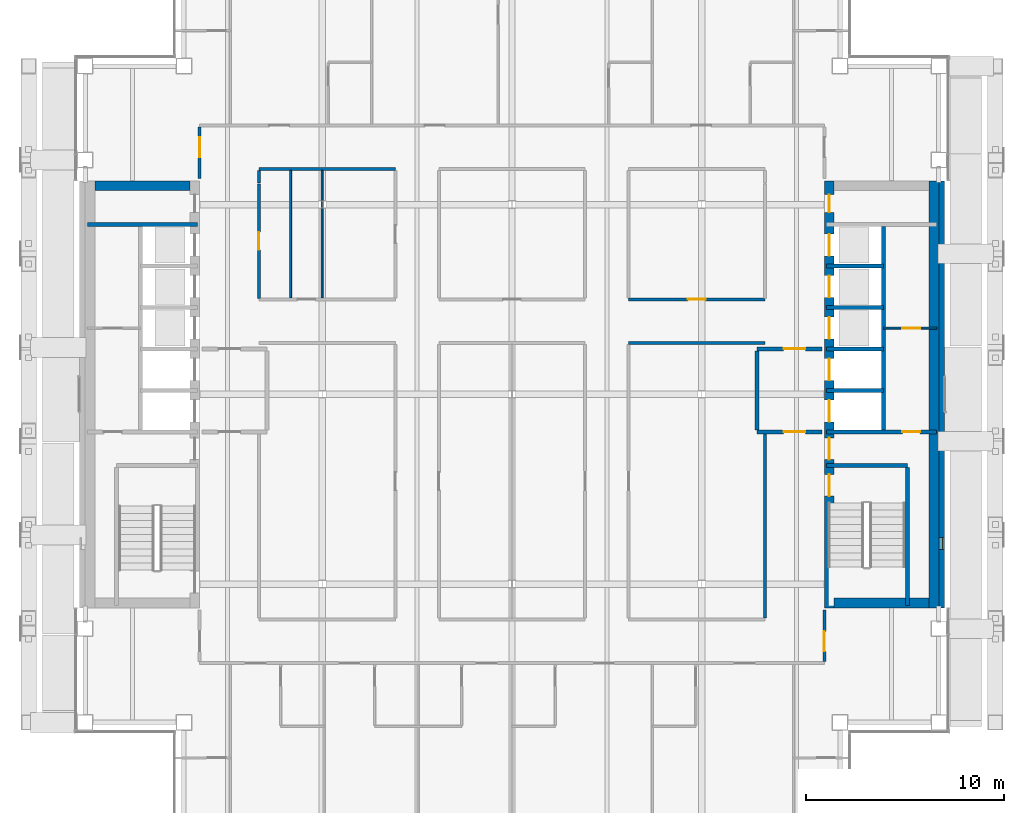
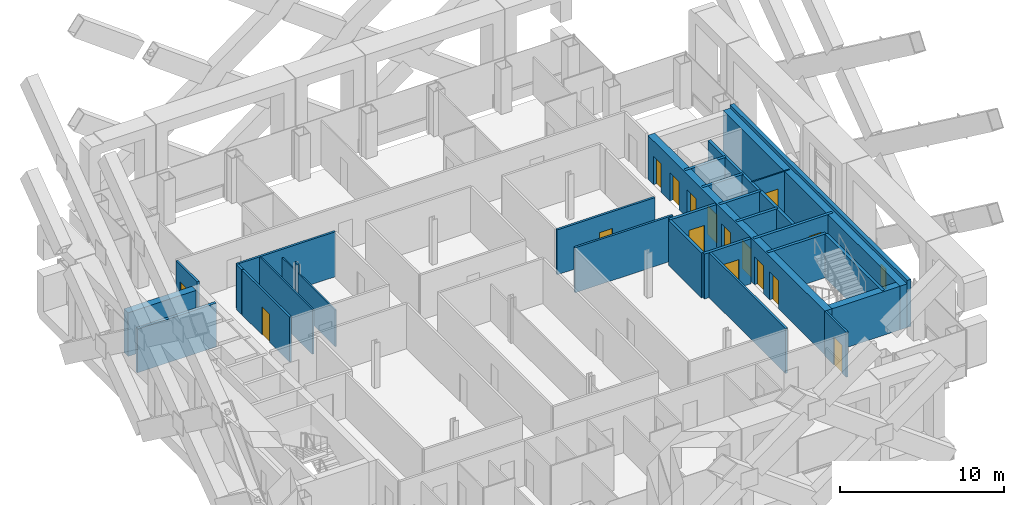
# One storey, part 15 of 25: 30 walls, 16 doors, 1 window, 17 openings.
"""IFC4 building model written with IfcOpenShell, lengths in metres."""

from ifc_helpers import new_model, si_unit, direction, frame, frame_2d, origin, place, context, subcontext, project, spatial, rectangle, extrude, material, layer, layer_set, type_object, element, fill, save


model = new_model("IFC4")

# Units and contexts
model_context = context("Model", 3, precision=1e-05, world=origin(), true_north=direction((0.0, 1.0)))
body_context = subcontext(model_context, "Body", "Model", "MODEL_VIEW")
ifc_project = project(units=[si_unit("LENGTHUNIT", "METRE"), si_unit("AREAUNIT", "SQUARE_METRE"), si_unit("VOLUMEUNIT", "CUBIC_METRE"), si_unit("PLANEANGLEUNIT", "RADIAN"), si_unit("MASSUNIT", "GRAM", prefix="KILO")], contexts=[model_context])

# Site, building, storey
site_placement = place(None, origin())
site = spatial("IfcSite", under=ifc_project, at=site_placement, CompositionType="ELEMENT")
building_placement = place(site_placement, origin())
building = spatial("IfcBuilding", under=site, at=building_placement, Name="Cobrizo Arcos Hotel Tower", CompositionType="ELEMENT")
storey_placement = place(building_placement, frame((0.0, 0.0, 148.0)))
storey = spatial("IfcBuildingStorey", under=building, at=storey_placement, Name="L37", CompositionType="ELEMENT", Elevation=148.0)

# Wall
ifc_material_1 = material(Name="Gypsum board partition")
ifc_layer_1 = layer(ifc_material_1, 0.14990234375)
ifc_layer_set_1 = layer_set([ifc_layer_1], Name="Corridor wall EI 60 150")
wall_type_1 = type_object("IfcWallType", Name="Corridor wall EI 60 150", PredefinedType="PARTITIONING", material=ifc_layer_set_1)
wall_1_placement = place(storey_placement, frame((5.89990234375, 2.60009765625, 0.0), z_axis=(0.0, 0.0, 1.0), x_axis=(1.0, 0.0, 0.0)))
element("IfcWall", 1, at=wall_1_placement, inside=storey, type_object=wall_type_1, Name="Partition 025", PredefinedType="PARTITIONING", context=body_context, shape_type="SweptSolid", body=[
    extrude(rectangle(XDim=6.900146484375, YDim=0.14990234375, at=frame_2d((3.4501953125, 0.0))), origin(), (0.0, 0.0, 1.0), 3.35009765625),
])

# Wall, opening, door
wall_2_placement = place(storey_placement, frame((5.89990234375, 4.800048828125, 0.0), z_axis=(0.0, 0.0, 1.0), x_axis=(1.0, 0.0, 0.0)))
wall_2 = element("IfcWall", 2, at=wall_2_placement, inside=storey, type_object=wall_type_1, Name="Partition 032", PredefinedType="PARTITIONING", context=body_context, shape_type="SweptSolid", body=[
    extrude(rectangle(XDim=6.900146484375, YDim=0.14990234375, at=frame_2d((3.4501953125, 0.0))), origin(), (0.0, 0.0, 1.0), 3.35009765625),
])
opening_1_placement = place(wall_2_placement, frame((3.0, 0.0, 0.0)))
opening_1 = element("IfcOpeningElement", 3, at=opening_1_placement, cuts=wall_2, Name="Opening RD-09", PredefinedType="OPENING", context=body_context, shape_type="SweptSolid", body=[
    extrude(rectangle(XDim=0.89990234375, YDim=2.10009765625, at=frame_2d((0.449951171875, 1.050048828125))), frame((0.0, 0.0869140625, 0.0), z_axis=(0.0, -1.0, 0.0), x_axis=(1.0, 0.0, 0.0)), (0.0, 0.0, 1.0), 0.173828125),
])
ifc_material_2 = material(Name="Timber door leaf", Category="wood")
door_type_1 = type_object("IfcDoorType", Name="Room door FD30 900x2100", OperationType="SINGLE_SWING_LEFT", PredefinedType="DOOR", material=ifc_material_2)
door_1_placement = place(opening_1_placement, origin())
door_1 = element("IfcDoor", 4, at=door_1_placement, inside=storey, type_object=door_type_1, Name="Door RD-09", OperationType="SINGLE_SWING_LEFT", OverallHeight=2.10009765625, OverallWidth=0.89990234375, PredefinedType="DOOR", context=body_context, shape_type="SweptSolid", body=[
    extrude(rectangle(XDim=0.89990234375, YDim=2.10009765625, at=frame_2d((0.449951171875, 1.050048828125))), frame((0.0, 0.02490234375, 0.0), z_axis=(0.0, -1.0, 0.0), x_axis=(1.0, 0.0, 0.0)), (0.0, 0.0, 1.0), 0.050048828125),
])
fill(opening_1, door_1)

# Wall
wall_3_placement = place(storey_placement, frame((-12.800048828125, 11.39990234375, 0.0), z_axis=(0.0, 0.0, 1.0), x_axis=(1.0, 0.0, 0.0)))
element("IfcWall", 5, at=wall_3_placement, inside=storey, type_object=wall_type_1, Name="Partition 037", PredefinedType="PARTITIONING", context=body_context, shape_type="SweptSolid", body=[
    extrude(rectangle(XDim=6.900146484375, YDim=0.14990234375, at=frame_2d((3.4501953125, 0.0))), origin(), (0.0, 0.0, 1.0), 3.35009765625),
])

# Wall, opening, door
wall_4_placement = place(storey_placement, frame((-15.800048828125, 10.919921875, 0.0), z_axis=(0.0, 0.0, 1.0), x_axis=(0.0, 1.0, 0.0)))
wall_4 = element("IfcWall", 6, at=wall_4_placement, inside=storey, type_object=wall_type_1, Name="Partition 050", PredefinedType="PARTITIONING", context=body_context, shape_type="SweptSolid", body=[
    extrude(rectangle(XDim=2.60498046875, YDim=0.14990234375, at=frame_2d((1.302490234375, 0.0))), origin(), (0.0, 0.0, 1.0), 3.35009765625),
])
opening_2_placement = place(wall_4_placement, frame((1.080078125, 0.0, 0.0)))
opening_2 = element("IfcOpeningElement", 7, at=opening_2_placement, cuts=wall_4, Name="Opening GD-10", PredefinedType="OPENING", context=body_context, shape_type="SweptSolid", body=[
    extrude(rectangle(XDim=1.0, YDim=2.10009765625, at=frame_2d((0.5, 1.050048828125))), frame((0.0, 0.0869140625, 0.0), z_axis=(0.0, -1.0, 0.0), x_axis=(1.0, 0.0, 0.0)), (0.0, 0.0, 1.0), 0.173828125),
])
door_type_2 = type_object("IfcDoorType", Name="Guest room door FD30S 1000x2100", OperationType="SINGLE_SWING_LEFT", PredefinedType="DOOR", material=ifc_material_2)
door_2_placement = place(opening_2_placement, origin())
door_2 = element("IfcDoor", 8, at=door_2_placement, inside=storey, type_object=door_type_2, Name="Door GD-10", OperationType="SINGLE_SWING_RIGHT", OverallHeight=2.10009765625, OverallWidth=1.0, PredefinedType="DOOR", context=body_context, shape_type="SweptSolid", body=[
    extrude(rectangle(XDim=1.0, YDim=2.10009765625, at=frame_2d((0.5, 1.050048828125))), frame((0.0, 0.02490234375, 0.0), z_axis=(0.0, -1.0, 0.0), x_axis=(1.0, 0.0, 0.0)), (0.0, 0.0, 1.0), 0.050048828125),
])
fill(opening_2, door_2)

wall_5_placement = place(storey_placement, frame((-12.800048828125, 4.85009765625, 0.0), z_axis=(0.0, 0.0, 1.0), x_axis=(0.0, 1.0, 0.0)))
wall_5 = element("IfcWall", 9, at=wall_5_placement, inside=storey, type_object=wall_type_1, Name="Partition 054", PredefinedType="PARTITIONING", context=body_context, shape_type="SweptSolid", body=[
    extrude(rectangle(XDim=5.7998046875, YDim=0.14990234375, at=frame_2d((2.89990234375, 0.0))), origin(), (0.0, 0.0, 1.0), 3.35009765625),
])
opening_3_placement = place(wall_5_placement, frame((2.449951171875, 0.0, 0.0)))
opening_3 = element("IfcOpeningElement", 10, at=opening_3_placement, cuts=wall_5, Name="Opening ED-13", PredefinedType="OPENING", context=body_context, shape_type="SweptSolid", body=[
    extrude(rectangle(XDim=0.89990234375, YDim=2.10009765625, at=frame_2d((0.449951171875, 1.050048828125))), frame((0.0, 0.0869140625, 0.0), z_axis=(0.0, -1.0, 0.0), x_axis=(1.0, 0.0, 0.0)), (0.0, 0.0, 1.0), 0.173828125),
])
door_type_3 = type_object("IfcDoorType", Name="En-suite door 900x2100", OperationType="SINGLE_SWING_LEFT", PredefinedType="DOOR", material=ifc_material_2)
door_3_placement = place(opening_3_placement, origin())
door_3 = element("IfcDoor", 11, at=door_3_placement, inside=storey, type_object=door_type_3, Name="Door ED-13", OperationType="SINGLE_SWING_LEFT", OverallHeight=2.10009765625, OverallWidth=0.89990234375, PredefinedType="DOOR", context=body_context, shape_type="SweptSolid", body=[
    extrude(rectangle(XDim=0.89990234375, YDim=2.10009765625, at=frame_2d((0.449951171875, 1.050048828125))), frame((0.0, 0.02490234375, 0.0), z_axis=(0.0, -1.0, 0.0), x_axis=(1.0, 0.0, 0.0)), (0.0, 0.0, 1.0), 0.050048828125),
])
fill(opening_3, door_3)

# Walls
wall_6_placement = place(storey_placement, frame((-12.800048828125, 10.699951171875, 0.0), z_axis=(0.0, 0.0, 1.0), x_axis=(0.0, 1.0, 0.0)))
element("IfcWall", 12, at=wall_6_placement, inside=storey, type_object=wall_type_1, Name="Partition 055", PredefinedType="PARTITIONING", context=body_context, shape_type="SweptSolid", body=[
    extrude(rectangle(XDim=0.625, YDim=0.14990234375, at=frame_2d((0.3125, 0.0))), origin(), (0.0, 0.0, 1.0), 3.35009765625),
])
wall_7_placement = place(storey_placement, frame((12.800048828125, -11.324951171875, 0.0), z_axis=(0.0, 0.0, 1.0), x_axis=(0.0, 1.0, 0.0)))
element("IfcWall", 13, at=wall_7_placement, inside=storey, type_object=wall_type_1, Name="Partition 091", PredefinedType="PARTITIONING", context=body_context, shape_type="SweptSolid", body=[
    extrude(rectangle(XDim=9.324951171875, YDim=0.14990234375, at=frame_2d((4.66259765625, 0.0))), origin(), (0.0, 0.0, 1.0), 3.35009765625),
])

# Wall, opening, door
wall_8_placement = place(storey_placement, frame((15.800048828125, -13.52490234375, 0.0), z_axis=(0.0, 0.0, 1.0), x_axis=(0.0, 1.0, 0.0)))
wall_8 = element("IfcWall", 14, at=wall_8_placement, inside=storey, type_object=wall_type_1, Name="Partition 096", PredefinedType="PARTITIONING", context=body_context, shape_type="SweptSolid", body=[
    extrude(rectangle(XDim=2.60498046875, YDim=0.14990234375, at=frame_2d((1.302490234375, 0.0))), origin(), (0.0, 0.0, 1.0), 3.35009765625),
])
opening_4_placement = place(wall_8_placement, frame((0.52490234375, 0.0, 0.0)))
opening_4 = element("IfcOpeningElement", 15, at=opening_4_placement, cuts=wall_8, Name="Opening GD-11", PredefinedType="OPENING", context=body_context, shape_type="SweptSolid", body=[
    extrude(rectangle(XDim=1.0, YDim=2.10009765625, at=frame_2d((0.5, 1.050048828125))), frame((0.0, 0.0869140625, 0.0), z_axis=(0.0, -1.0, 0.0), x_axis=(1.0, 0.0, 0.0)), (0.0, 0.0, 1.0), 0.173828125),
])
door_4_placement = place(opening_4_placement, origin())
door_4 = element("IfcDoor", 16, at=door_4_placement, inside=storey, type_object=door_type_2, Name="Door GD-11", OperationType="SINGLE_SWING_LEFT", OverallHeight=2.10009765625, OverallWidth=1.0, PredefinedType="DOOR", context=body_context, shape_type="SweptSolid", body=[
    extrude(rectangle(XDim=1.0, YDim=2.10009765625, at=frame_2d((0.5, 1.050048828125))), frame((0.0, 0.02490234375, 0.0), z_axis=(0.0, -1.0, 0.0), x_axis=(1.0, 0.0, 0.0)), (0.0, 0.0, 1.0), 0.050048828125),
])
fill(opening_4, door_4)

# Wall, opening, window
ifc_material_3 = material(Name="Aluminium composite panel pale metal", Category="aluminium")
ifc_layer_2 = layer(ifc_material_3, 0.27490234375)
ifc_layer_set_2 = layer_set([ifc_layer_2], Name="EW-1 insulated panel wall 275")
wall_type_2 = type_object("IfcWallType", Name="EW-1 insulated panel wall 275", PredefinedType="SOLIDWALL", material=ifc_layer_set_2)
wall_9_placement = place(storey_placement, frame((21.737548828125, -10.800048828125, 0.0), z_axis=(0.0, 0.0, 1.0), x_axis=(0.0, 1.0, 0.0)))
wall_9 = element("IfcWall", 17, at=wall_9_placement, inside=storey, type_object=wall_type_2, Name="Core face wall L37 E", PredefinedType="SOLIDWALL", context=body_context, shape_type="SweptSolid", body=[
    extrude(rectangle(XDim=21.60009765625, YDim=0.27490234375, at=frame_2d((10.800048828125, 0.0))), origin(), (0.0, 0.0, 1.0), 3.5),
])
opening_5_placement = place(wall_9_placement, frame((2.949951171875, 0.0, 1.0)))
opening_5 = element("IfcOpeningElement", 18, at=opening_5_placement, cuts=wall_9, Name="Opening W-81", PredefinedType="OPENING", context=body_context, shape_type="SweptSolid", body=[
    extrude(rectangle(XDim=0.60009765625, YDim=1.5, at=frame_2d((0.300048828125, 0.75))), frame((0.0, 0.1494140625, 0.0), z_axis=(0.0, -1.0, 0.0), x_axis=(1.0, 0.0, 0.0)), (0.0, 0.0, 1.0), 0.298828125),
])
ifc_material_4 = material(Name="Aluminium 6063-T6 and clear laminated glass", Category="aluminium")
window_type = type_object("IfcWindowType", Name="W-C1 core stair slot window 600x1500", PartitioningType="SINGLE_PANEL", PredefinedType="WINDOW", material=ifc_material_4)
window_placement = place(opening_5_placement, origin())
window = element("IfcWindow", 19, at=window_placement, inside=storey, type_object=window_type, Name="Core face wall L37 E window W-81", OverallHeight=1.5, OverallWidth=0.60009765625, PartitioningType="SINGLE_PANEL", PredefinedType="WINDOW", context=body_context, shape_type="SweptSolid", body=[
    extrude(rectangle(XDim=0.60009765625, YDim=1.5, at=frame_2d((0.300048828125, 0.75))), frame((0.0, -0.04736328125, 0.0), z_axis=(0.0, -1.0, 0.0), x_axis=(1.0, 0.0, 0.0)), (0.0, 0.0, 1.0), 0.06005859375),
])
fill(opening_5, window)

# Wall, opening, door
ifc_layer_3 = layer(ifc_material_1, 0.10009765625)
ifc_layer_set_3 = layer_set([ifc_layer_3], Name="Partition EI 30 100")
wall_type_3 = type_object("IfcWallType", Name="Partition EI 30 100", PredefinedType="PARTITIONING", material=ifc_layer_set_3)
wall_10_placement = place(storey_placement, frame((18.800048828125, 3.35009765625, 0.0), z_axis=(0.0, 0.0, 1.0), x_axis=(1.0, 0.0, 0.0)))
wall_10 = element("IfcWall", 20, at=wall_10_placement, inside=storey, type_object=wall_type_3, Name="Partition 027", PredefinedType="PARTITIONING", context=body_context, shape_type="SweptSolid", body=[
    extrude(rectangle(XDim=2.679931640625, YDim=0.10009765625, at=frame_2d((1.33984375, 0.0))), origin(), (0.0, 0.0, 1.0), 3.25),
])
opening_6_placement = place(wall_10_placement, frame((0.949951171875, 0.0, 0.0)))
opening_6 = element("IfcOpeningElement", 21, at=opening_6_placement, cuts=wall_10, Name="Opening RD-06", PredefinedType="OPENING", context=body_context, shape_type="SweptSolid", body=[
    extrude(rectangle(XDim=0.89990234375, YDim=2.10009765625, at=frame_2d((0.449951171875, 1.050048828125))), frame((0.0, 0.06201171875, 0.0), z_axis=(0.0, -1.0, 0.0), x_axis=(1.0, 0.0, 0.0)), (0.0, 0.0, 1.0), 0.1240234375),
])
door_5_placement = place(opening_6_placement, origin())
door_5 = element("IfcDoor", 22, at=door_5_placement, inside=storey, type_object=door_type_1, Name="Door RD-06", OperationType="SINGLE_SWING_RIGHT", OverallHeight=2.10009765625, OverallWidth=0.89990234375, PredefinedType="DOOR", context=body_context, shape_type="SweptSolid", body=[
    extrude(rectangle(XDim=0.89990234375, YDim=2.10009765625, at=frame_2d((0.449951171875, 1.050048828125))), frame((0.0, 0.02490234375, 0.0), z_axis=(0.0, -1.0, 0.0), x_axis=(1.0, 0.0, 0.0)), (0.0, 0.0, 1.0), 0.050048828125),
])
fill(opening_6, door_5)

# Walls
wall_11_placement = place(storey_placement, frame((-11.199951171875, 4.875, 0.0), z_axis=(0.0, 0.0, 1.0), x_axis=(0.0, 1.0, 0.0)))
element("IfcWall", 23, at=wall_11_placement, inside=storey, type_object=wall_type_3, Name="Partition 058", PredefinedType="PARTITIONING", context=body_context, shape_type="SweptSolid", body=[
    extrude(rectangle(XDim=6.449951171875, YDim=0.10009765625, at=frame_2d((3.22509765625, 0.0))), origin(), (0.0, 0.0, 1.0), 3.35009765625),
])
wall_12_placement = place(storey_placement, frame((-9.60009765625, 4.875, 0.0), z_axis=(0.0, 0.0, 1.0), x_axis=(0.0, 1.0, 0.0)))
element("IfcWall", 24, at=wall_12_placement, inside=storey, type_object=wall_type_3, Name="Partition 059", PredefinedType="PARTITIONING", context=body_context, shape_type="SweptSolid", body=[
    extrude(rectangle(XDim=4.5380859375, YDim=0.10009765625, at=frame_2d((2.26904296875, 0.0))), origin(), (0.0, 0.0, 1.0), 2.72802734375),
])
wall_13_placement = place(storey_placement, frame((-9.60009765625, 9.4130859375, 0.0), z_axis=(0.0, 0.0, 1.0), x_axis=(0.0, 1.0, 0.0)))
element("IfcWall", 25, at=wall_13_placement, inside=storey, type_object=wall_type_3, Name="Partition 060", PredefinedType="PARTITIONING", context=body_context, shape_type="SweptSolid", body=[
    extrude(rectangle(XDim=0.3740234375, YDim=0.10009765625, at=frame_2d((0.18701171875, 0.0))), origin(), (0.0, 0.0, 1.0), 3.35009765625),
])
wall_14_placement = place(storey_placement, frame((-9.60009765625, 9.787109375, 0.0), z_axis=(0.0, 0.0, 1.0), x_axis=(0.0, 1.0, 0.0)))
element("IfcWall", 26, at=wall_14_placement, inside=storey, type_object=wall_type_3, Name="Partition 061", PredefinedType="PARTITIONING", context=body_context, shape_type="SweptSolid", body=[
    extrude(rectangle(XDim=1.537841796875, YDim=0.10009765625, at=frame_2d((0.76904296875, 0.0))), origin(), (0.0, 0.0, 1.0), 2.72802734375),
])

# Wall, openings, doors
ifc_material_5 = material(Name="Concrete f'c 50 MPa", Category="concrete")
ifc_layer_4 = layer(ifc_material_5, 0.5)
ifc_layer_set_4 = layer_set([ifc_layer_4], Name="RC core wall 500 f'c 50")
wall_type_4 = type_object("IfcWallType", Name="RC core wall 500 f'c 50", PredefinedType="SHEAR", material=ifc_layer_set_4)
wall_15_placement = place(storey_placement, frame((16.050048828125, -10.800048828125, 0.0), z_axis=(0.0, 0.0, 1.0), x_axis=(0.0, 1.0, 0.0)))
wall_15 = element("IfcWall", 27, at=wall_15_placement, inside=storey, type_object=wall_type_4, Name="Core wall CW3, east core, inner face, L37", PredefinedType="SHEAR", context=body_context, shape_type="SweptSolid", body=[
    extrude(rectangle(XDim=21.60009765625, YDim=0.5, at=frame_2d((10.800048828125, 0.0))), origin(), (0.0, 0.0, 1.0), 3.25),
])
opening_7_placement = place(wall_15_placement, frame((9.39990234375, 0.0, 0.0)))
opening_7 = element("IfcOpeningElement", 28, at=opening_7_placement, cuts=wall_15, Name="Opening LD-06", PredefinedType="OPENING", context=body_context, shape_type="SweptSolid", body=[
    extrude(rectangle(XDim=1.10009765625, YDim=2.10009765625, at=frame_2d((0.550048828125, 1.050048828125))), frame((0.0, 0.261962890625, 0.0), z_axis=(0.0, -1.0, 0.0), x_axis=(1.0, 0.0, 0.0)), (0.0, 0.0, 1.0), 0.52392578125),
])
opening_8_placement = place(wall_15_placement, frame((11.5, 0.0, 0.0)))
opening_8 = element("IfcOpeningElement", 29, at=opening_8_placement, cuts=wall_15, Name="Opening LD-07", PredefinedType="OPENING", context=body_context, shape_type="SweptSolid", body=[
    extrude(rectangle(XDim=1.10009765625, YDim=2.10009765625, at=frame_2d((0.550048828125, 1.050048828125))), frame((0.0, 0.261962890625, 0.0), z_axis=(0.0, -1.0, 0.0), x_axis=(1.0, 0.0, 0.0)), (0.0, 0.0, 1.0), 0.52392578125),
])
opening_9_placement = place(wall_15_placement, frame((13.60009765625, 0.0, 0.0)))
opening_9 = element("IfcOpeningElement", 30, at=opening_9_placement, cuts=wall_15, Name="Opening LD-08", PredefinedType="OPENING", context=body_context, shape_type="SweptSolid", body=[
    extrude(rectangle(XDim=1.10009765625, YDim=2.10009765625, at=frame_2d((0.550048828125, 1.050048828125))), frame((0.0, 0.261962890625, 0.0), z_axis=(0.0, -1.0, 0.0), x_axis=(1.0, 0.0, 0.0)), (0.0, 0.0, 1.0), 0.52392578125),
])
opening_10_placement = place(wall_15_placement, frame((15.699951171875, 0.0, 0.0)))
opening_10 = element("IfcOpeningElement", 31, at=opening_10_placement, cuts=wall_15, Name="Opening LD-09", PredefinedType="OPENING", context=body_context, shape_type="SweptSolid", body=[
    extrude(rectangle(XDim=1.10009765625, YDim=2.10009765625, at=frame_2d((0.550048828125, 1.050048828125))), frame((0.0, 0.261962890625, 0.0), z_axis=(0.0, -1.0, 0.0), x_axis=(1.0, 0.0, 0.0)), (0.0, 0.0, 1.0), 0.52392578125),
])
opening_11_placement = place(wall_15_placement, frame((17.800048828125, 0.0, 0.0)))
opening_11 = element("IfcOpeningElement", 32, at=opening_11_placement, cuts=wall_15, Name="Opening LD-10", PredefinedType="OPENING", context=body_context, shape_type="SweptSolid", body=[
    extrude(rectangle(XDim=1.10009765625, YDim=2.10009765625, at=frame_2d((0.550048828125, 1.050048828125))), frame((0.0, 0.261962890625, 0.0), z_axis=(0.0, -1.0, 0.0), x_axis=(1.0, 0.0, 0.0)), (0.0, 0.0, 1.0), 0.52392578125),
])
opening_12_placement = place(wall_15_placement, frame((5.64208984375, 0.0, 0.0)))
opening_12 = element("IfcOpeningElement", 33, at=opening_12_placement, cuts=wall_15, Name="Opening SD-02", PredefinedType="OPENING", context=body_context, shape_type="SweptSolid", body=[
    extrude(rectangle(XDim=1.10009765625, YDim=2.10009765625, at=frame_2d((0.550048828125, 1.050048828125))), frame((0.0, 0.261962890625, 0.0), z_axis=(0.0, -1.0, 0.0), x_axis=(1.0, 0.0, 0.0)), (0.0, 0.0, 1.0), 0.52392578125),
])
opening_13_placement = place(wall_15_placement, frame((7.5, 0.0, 0.0)))
opening_13 = element("IfcOpeningElement", 34, at=opening_13_placement, cuts=wall_15, Name="Opening FD-04", PredefinedType="OPENING", context=body_context, shape_type="SweptSolid", body=[
    extrude(rectangle(XDim=1.10009765625, YDim=2.10009765625, at=frame_2d((0.550048828125, 1.050048828125))), frame((0.0, 0.261962890625, 0.0), z_axis=(0.0, -1.0, 0.0), x_axis=(1.0, 0.0, 0.0)), (0.0, 0.0, 1.0), 0.52392578125),
])
opening_14_placement = place(wall_15_placement, frame((20.0, 0.0, 0.0)))
opening_14 = element("IfcOpeningElement", 35, at=opening_14_placement, cuts=wall_15, Name="Opening RD-04", PredefinedType="OPENING", context=body_context, shape_type="SweptSolid", body=[
    extrude(rectangle(XDim=0.89990234375, YDim=2.10009765625, at=frame_2d((0.449951171875, 1.050048828125))), frame((0.0, 0.261962890625, 0.0), z_axis=(0.0, -1.0, 0.0), x_axis=(1.0, 0.0, 0.0)), (0.0, 0.0, 1.0), 0.52392578125),
])
ifc_material_6 = material(Name="Steel door leaf", Category="steel")
door_type_4 = type_object("IfcDoorType", Name="Fire door FD60 1100x2100", OperationType="SINGLE_SWING_LEFT", PredefinedType="DOOR", material=ifc_material_6)
door_6_placement = place(opening_13_placement, origin())
door_6 = element("IfcDoor", 36, at=door_6_placement, inside=storey, type_object=door_type_4, Name="Door FD-04", OperationType="SINGLE_SWING_RIGHT", OverallHeight=2.10009765625, OverallWidth=1.10009765625, PredefinedType="DOOR", context=body_context, shape_type="SweptSolid", body=[
    extrude(rectangle(XDim=1.10009765625, YDim=2.10009765625, at=frame_2d((0.550048828125, 1.050048828125))), frame((0.0, 0.02490234375, 0.0), z_axis=(0.0, -1.0, 0.0), x_axis=(1.0, 0.0, 0.0)), (0.0, 0.0, 1.0), 0.050048828125),
])
fill(opening_13, door_6)
door_type_5 = type_object("IfcDoorType", Name="Lift landing door 1100x2100", OperationType="SLIDING_TO_LEFT", PredefinedType="DOOR", material=ifc_material_6)
door_7_placement = place(opening_7_placement, origin())
door_7 = element("IfcDoor", 37, at=door_7_placement, inside=storey, type_object=door_type_5, Name="Lift landing door LD-06", OperationType="SLIDING_TO_LEFT", OverallHeight=2.10009765625, OverallWidth=1.10009765625, PredefinedType="DOOR", context=body_context, shape_type="SweptSolid", body=[
    extrude(rectangle(XDim=1.10009765625, YDim=2.10009765625, at=frame_2d((0.550048828125, 1.050048828125))), frame((0.0, 0.02490234375, 0.0), z_axis=(0.0, -1.0, 0.0), x_axis=(1.0, 0.0, 0.0)), (0.0, 0.0, 1.0), 0.050048828125),
])
fill(opening_7, door_7)
door_8_placement = place(opening_8_placement, origin())
door_8 = element("IfcDoor", 38, at=door_8_placement, inside=storey, type_object=door_type_5, Name="Lift landing door LD-07", OperationType="SLIDING_TO_LEFT", OverallHeight=2.10009765625, OverallWidth=1.10009765625, PredefinedType="DOOR", context=body_context, shape_type="SweptSolid", body=[
    extrude(rectangle(XDim=1.10009765625, YDim=2.10009765625, at=frame_2d((0.550048828125, 1.050048828125))), frame((0.0, 0.02490234375, 0.0), z_axis=(0.0, -1.0, 0.0), x_axis=(1.0, 0.0, 0.0)), (0.0, 0.0, 1.0), 0.050048828125),
])
fill(opening_8, door_8)
door_9_placement = place(opening_9_placement, origin())
door_9 = element("IfcDoor", 39, at=door_9_placement, inside=storey, type_object=door_type_5, Name="Lift landing door LD-08", OperationType="SLIDING_TO_LEFT", OverallHeight=2.10009765625, OverallWidth=1.10009765625, PredefinedType="DOOR", context=body_context, shape_type="SweptSolid", body=[
    extrude(rectangle(XDim=1.10009765625, YDim=2.10009765625, at=frame_2d((0.550048828125, 1.050048828125))), frame((0.0, 0.02490234375, 0.0), z_axis=(0.0, -1.0, 0.0), x_axis=(1.0, 0.0, 0.0)), (0.0, 0.0, 1.0), 0.050048828125),
])
fill(opening_9, door_9)
door_10_placement = place(opening_10_placement, origin())
door_10 = element("IfcDoor", 40, at=door_10_placement, inside=storey, type_object=door_type_5, Name="Lift landing door LD-09", OperationType="SLIDING_TO_LEFT", OverallHeight=2.10009765625, OverallWidth=1.10009765625, PredefinedType="DOOR", context=body_context, shape_type="SweptSolid", body=[
    extrude(rectangle(XDim=1.10009765625, YDim=2.10009765625, at=frame_2d((0.550048828125, 1.050048828125))), frame((0.0, 0.02490234375, 0.0), z_axis=(0.0, -1.0, 0.0), x_axis=(1.0, 0.0, 0.0)), (0.0, 0.0, 1.0), 0.050048828125),
])
fill(opening_10, door_10)
door_11_placement = place(opening_11_placement, origin())
door_11 = element("IfcDoor", 41, at=door_11_placement, inside=storey, type_object=door_type_5, Name="Lift landing door LD-10", OperationType="SLIDING_TO_LEFT", OverallHeight=2.10009765625, OverallWidth=1.10009765625, PredefinedType="DOOR", context=body_context, shape_type="SweptSolid", body=[
    extrude(rectangle(XDim=1.10009765625, YDim=2.10009765625, at=frame_2d((0.550048828125, 1.050048828125))), frame((0.0, 0.02490234375, 0.0), z_axis=(0.0, -1.0, 0.0), x_axis=(1.0, 0.0, 0.0)), (0.0, 0.0, 1.0), 0.050048828125),
])
fill(opening_11, door_11)
door_12_placement = place(opening_14_placement, origin())
door_12 = element("IfcDoor", 42, at=door_12_placement, inside=storey, type_object=door_type_1, Name="Door RD-04", OperationType="SINGLE_SWING_LEFT", OverallHeight=2.10009765625, OverallWidth=0.89990234375, PredefinedType="DOOR", context=body_context, shape_type="SweptSolid", body=[
    extrude(rectangle(XDim=0.89990234375, YDim=2.10009765625, at=frame_2d((0.449951171875, 1.050048828125))), frame((0.0, 0.02490234375, 0.0), z_axis=(0.0, -1.0, 0.0), x_axis=(1.0, 0.0, 0.0)), (0.0, 0.0, 1.0), 0.050048828125),
])
fill(opening_14, door_12)
door_type_6 = type_object("IfcDoorType", Name="Stair door FD60S 1100x2100", OperationType="SINGLE_SWING_LEFT", PredefinedType="DOOR", material=ifc_material_6)
door_13_placement = place(opening_12_placement, origin())
door_13 = element("IfcDoor", 43, at=door_13_placement, inside=storey, type_object=door_type_6, Name="Door SD-02", OperationType="SINGLE_SWING_RIGHT", OverallHeight=2.10009765625, OverallWidth=1.10009765625, PredefinedType="DOOR", context=body_context, shape_type="SweptSolid", body=[
    extrude(rectangle(XDim=1.10009765625, YDim=2.10009765625, at=frame_2d((0.550048828125, 1.050048828125))), frame((0.0, 0.02490234375, 0.0), z_axis=(0.0, -1.0, 0.0), x_axis=(1.0, 0.0, 0.0)), (0.0, 0.0, 1.0), 0.050048828125),
])
fill(opening_12, door_13)

# Walls
wall_16_placement = place(storey_placement, frame((21.35009765625, -10.800048828125, 0.0), z_axis=(0.0, 0.0, 1.0), x_axis=(0.0, 1.0, 0.0)))
element("IfcWall", 44, at=wall_16_placement, inside=storey, type_object=wall_type_4, Name="Core wall CW3, east core, outer face, L37", PredefinedType="SHEAR", context=body_context, shape_type="SweptSolid", body=[
    extrude(rectangle(XDim=21.60009765625, YDim=0.5, at=frame_2d((10.800048828125, 0.0))), origin(), (0.0, 0.0, 1.0), 3.25),
])
for number, where, z_axis, x_axis, name in (
    (45, (16.300048828125, -10.550048828125, 0.0), (0.0, 0.0, 1.0), (1.0, 0.0, 0.0), "Core wall CW3, east core, south end, L37"),
    (46, (-21.10009765625, 10.550048828125, 0.0), (0.0, 0.0, 1.0), (1.0, 0.0, 0.0), "Core wall CW3, west core, north end, L37"),
):
    element("IfcWall", number, at=place(storey_placement, frame(where, z_axis=z_axis, x_axis=x_axis)), inside=storey, type_object=wall_type_4, Name=name, PredefinedType="SHEAR", context=body_context, shape_type="SweptSolid", body=[
        extrude(rectangle(XDim=4.800048828125, YDim=0.5, at=frame_2d((2.39990234375, 0.0))), origin(), (0.0, 0.0, 1.0), 3.25),
    ])

# Wall, opening, door
ifc_layer_5 = layer(ifc_material_1, 0.199951171875)
ifc_layer_set_5 = layer_set([ifc_layer_5], Name="Shaft wall EI 120 200")
wall_type_5 = type_object("IfcWallType", Name="Shaft wall EI 120 200", PredefinedType="PARTITIONING", material=ifc_layer_set_5)
wall_17_placement = place(storey_placement, frame((12.39990234375, -1.89990234375, 0.0), z_axis=(0.0, 0.0, 1.0), x_axis=(1.0, 0.0, 0.0)))
wall_17 = element("IfcWall", 47, at=wall_17_placement, inside=storey, type_object=wall_type_5, Name="Partition 015", PredefinedType="PARTITIONING", context=body_context, shape_type="SweptSolid", body=[
    extrude(rectangle(XDim=3.280029296875, YDim=0.199951171875, at=frame_2d((1.64013671875, 0.0))), origin(), (0.0, 0.0, 1.0), 3.35009765625),
])
opening_15_placement = place(wall_17_placement, frame((1.340087890625, 0.0, 0.0)))
opening_15 = element("IfcOpeningElement", 48, at=opening_15_placement, cuts=wall_17, Name="Opening FD-06", PredefinedType="OPENING", context=body_context, shape_type="SweptSolid", body=[
    extrude(rectangle(XDim=1.10009765625, YDim=2.10009765625, at=frame_2d((0.550048828125, 1.050048828125))), frame((0.0, 0.112060546875, 0.0), z_axis=(0.0, -1.0, 0.0), x_axis=(1.0, 0.0, 0.0)), (0.0, 0.0, 1.0), 0.223876953125),
])
door_14_placement = place(opening_15_placement, origin())
door_14 = element("IfcDoor", 49, at=door_14_placement, inside=storey, type_object=door_type_4, Name="Door FD-06", OperationType="SINGLE_SWING_RIGHT", OverallHeight=2.10009765625, OverallWidth=1.10009765625, PredefinedType="DOOR", context=body_context, shape_type="SweptSolid", body=[
    extrude(rectangle(XDim=1.10009765625, YDim=2.10009765625, at=frame_2d((0.550048828125, 1.050048828125))), frame((0.0, 0.02490234375, 0.0), z_axis=(0.0, -1.0, 0.0), x_axis=(1.0, 0.0, 0.0)), (0.0, 0.0, 1.0), 0.050048828125),
])
fill(opening_15, door_14)

wall_18_placement = place(storey_placement, frame((15.919921875, -1.89990234375, 0.0), z_axis=(0.0, 0.0, 1.0), x_axis=(1.0, 0.0, 0.0)))
wall_18 = element("IfcWall", 50, at=wall_18_placement, inside=storey, type_object=wall_type_5, Name="Partition 016", PredefinedType="PARTITIONING", context=body_context, shape_type="SweptSolid", body=[
    extrude(rectangle(XDim=5.56005859375, YDim=0.199951171875, at=frame_2d((2.780029296875, 0.0))), origin(), (0.0, 0.0, 1.0), 3.25),
])
opening_16_placement = place(wall_18_placement, frame((3.830078125, 0.0, 0.0)))
opening_16 = element("IfcOpeningElement", 51, at=opening_16_placement, cuts=wall_18, Name="Opening RD-05", PredefinedType="OPENING", context=body_context, shape_type="SweptSolid", body=[
    extrude(rectangle(XDim=0.89990234375, YDim=2.10009765625, at=frame_2d((0.449951171875, 1.050048828125))), frame((0.0, 0.112060546875, 0.0), z_axis=(0.0, -1.0, 0.0), x_axis=(1.0, 0.0, 0.0)), (0.0, 0.0, 1.0), 0.223876953125),
])
door_15_placement = place(opening_16_placement, origin())
door_15 = element("IfcDoor", 52, at=door_15_placement, inside=storey, type_object=door_type_1, Name="Door RD-05", OperationType="SINGLE_SWING_LEFT", OverallHeight=2.10009765625, OverallWidth=0.89990234375, PredefinedType="DOOR", context=body_context, shape_type="SweptSolid", body=[
    extrude(rectangle(XDim=0.89990234375, YDim=2.10009765625, at=frame_2d((0.449951171875, 1.050048828125))), frame((0.0, 0.02490234375, 0.0), z_axis=(0.0, -1.0, 0.0), x_axis=(1.0, 0.0, 0.0)), (0.0, 0.0, 1.0), 0.050048828125),
])
fill(opening_16, door_15)

# Wall
wall_19_placement = place(storey_placement, frame((15.919921875, 0.199951171875, 0.0), z_axis=(0.0, 0.0, 1.0), x_axis=(1.0, 0.0, 0.0)))
element("IfcWall", 53, at=wall_19_placement, inside=storey, type_object=wall_type_5, Name="Partition 018", PredefinedType="PARTITIONING", context=body_context, shape_type="SweptSolid", body=[
    extrude(rectangle(XDim=2.880126953125, YDim=0.199951171875, at=frame_2d((1.43994140625, 0.0))), origin(), (0.0, 0.0, 1.0), 3.25),
])

# Wall, opening, door
wall_20_placement = place(storey_placement, frame((12.39990234375, 2.300048828125, 0.0), z_axis=(0.0, 0.0, 1.0), x_axis=(1.0, 0.0, 0.0)))
wall_20 = element("IfcWall", 54, at=wall_20_placement, inside=storey, type_object=wall_type_5, Name="Partition 021", PredefinedType="PARTITIONING", context=body_context, shape_type="SweptSolid", body=[
    extrude(rectangle(XDim=3.280029296875, YDim=0.199951171875, at=frame_2d((1.64013671875, 0.0))), origin(), (0.0, 0.0, 1.0), 3.35009765625),
])
opening_17_placement = place(wall_20_placement, frame((1.340087890625, 0.0, 0.0)))
opening_17 = element("IfcOpeningElement", 55, at=opening_17_placement, cuts=wall_20, Name="Opening FD-05", PredefinedType="OPENING", context=body_context, shape_type="SweptSolid", body=[
    extrude(rectangle(XDim=1.10009765625, YDim=2.10009765625, at=frame_2d((0.550048828125, 1.050048828125))), frame((0.0, 0.112060546875, 0.0), z_axis=(0.0, -1.0, 0.0), x_axis=(1.0, 0.0, 0.0)), (0.0, 0.0, 1.0), 0.223876953125),
])
door_16_placement = place(opening_17_placement, origin())
door_16 = element("IfcDoor", 56, at=door_16_placement, inside=storey, type_object=door_type_4, Name="Door FD-05", OperationType="SINGLE_SWING_RIGHT", OverallHeight=2.10009765625, OverallWidth=1.10009765625, PredefinedType="DOOR", context=body_context, shape_type="SweptSolid", body=[
    extrude(rectangle(XDim=1.10009765625, YDim=2.10009765625, at=frame_2d((0.550048828125, 1.050048828125))), frame((0.0, 0.02490234375, 0.0), z_axis=(0.0, -1.0, 0.0), x_axis=(1.0, 0.0, 0.0)), (0.0, 0.0, 1.0), 0.050048828125),
])
fill(opening_17, door_16)

# Walls
for number, where, z_axis, x_axis, name in (
    (57, (15.919921875, 2.300048828125, 0.0), (0.0, 0.0, 1.0), (1.0, 0.0, 0.0), "Partition 022"),
    (58, (15.919921875, 4.39990234375, 0.0), (0.0, 0.0, 1.0), (1.0, 0.0, 0.0), "Partition 029"),
    (59, (15.919921875, 6.5, 0.0), (0.0, 0.0, 1.0), (1.0, 0.0, 0.0), "Partition 034"),
):
    element("IfcWall", number, at=place(storey_placement, frame(where, z_axis=z_axis, x_axis=x_axis)), inside=storey, type_object=wall_type_5, Name=name, PredefinedType="PARTITIONING", context=body_context, shape_type="SweptSolid", body=[
        extrude(rectangle(XDim=2.880126953125, YDim=0.199951171875, at=frame_2d((1.43994140625, 0.0))), origin(), (0.0, 0.0, 1.0), 3.25),
    ])
wall_21_placement = place(storey_placement, frame((-21.47998046875, 8.60009765625, 0.0), z_axis=(0.0, 0.0, 1.0), x_axis=(1.0, 0.0, 0.0)))
element("IfcWall", 60, at=wall_21_placement, inside=storey, type_object=wall_type_5, Name="Partition 035", PredefinedType="PARTITIONING", context=body_context, shape_type="SweptSolid", body=[
    extrude(rectangle(XDim=5.56005859375, YDim=0.199951171875, at=frame_2d((2.780029296875, 0.0))), origin(), (0.0, 0.0, 1.0), 3.25),
])
wall_22_placement = place(storey_placement, frame((12.39990234375, -1.800048828125, 0.0), z_axis=(0.0, 0.0, 1.0), x_axis=(0.0, 1.0, 0.0)))
element("IfcWall", 61, at=wall_22_placement, inside=storey, type_object=wall_type_5, Name="Partition 090", PredefinedType="PARTITIONING", context=body_context, shape_type="SweptSolid", body=[
    extrude(rectangle(XDim=4.0, YDim=0.199951171875, at=frame_2d((2.0, 0.0))), origin(), (0.0, 0.0, 1.0), 3.35009765625),
])
wall_23_placement = place(storey_placement, frame((18.800048828125, -1.800048828125, 0.0), z_axis=(0.0, 0.0, 1.0), x_axis=(0.0, 1.0, 0.0)))
element("IfcWall", 62, at=wall_23_placement, inside=storey, type_object=wall_type_5, Name="Partition 098", PredefinedType="PARTITIONING", context=body_context, shape_type="SweptSolid", body=[
    extrude(rectangle(XDim=10.300048828125, YDim=0.199951171875, at=frame_2d((5.14990234375, 0.0))), origin(), (0.0, 0.0, 1.0), 3.25),
])
ifc_material_7 = material(Name="Concrete f'c 40 MPa", Category="concrete")
ifc_layer_6 = layer(ifc_material_7, 0.199951171875)
ifc_layer_set_6 = layer_set([ifc_layer_6], Name="Stair shaft wall 200")
wall_type_6 = type_object("IfcWallType", Name="Stair shaft wall 200", PredefinedType="SHEAR", material=ifc_layer_set_6)
wall_24_placement = place(storey_placement, frame((15.919921875, -3.60009765625, 0.0), z_axis=(0.0, 0.0, 1.0), x_axis=(1.0, 0.0, 0.0)))
element("IfcWall", 63, at=wall_24_placement, inside=storey, type_object=wall_type_6, Name="Stair shaft wall E", PredefinedType="SHEAR", context=body_context, shape_type="SweptSolid", body=[
    extrude(rectangle(XDim=4.080078125, YDim=0.199951171875, at=frame_2d((2.0400390625, 0.0))), origin(), (0.0, 0.0, 1.0), 3.25),
])
wall_25_placement = place(storey_placement, frame((20.0, -10.679931640625, 0.0), z_axis=(0.0, 0.0, 1.0), x_axis=(0.0, 1.0, 0.0)))
element("IfcWall", 64, at=wall_25_placement, inside=storey, type_object=wall_type_6, Name="Stair shaft wall E", PredefinedType="SHEAR", context=body_context, shape_type="SweptSolid", body=[
    extrude(rectangle(XDim=6.97998046875, YDim=0.199951171875, at=frame_2d((3.489990234375, 0.0))), origin(), (0.0, 0.0, 1.0), 3.25),
])

save(model, "model.ifc")
